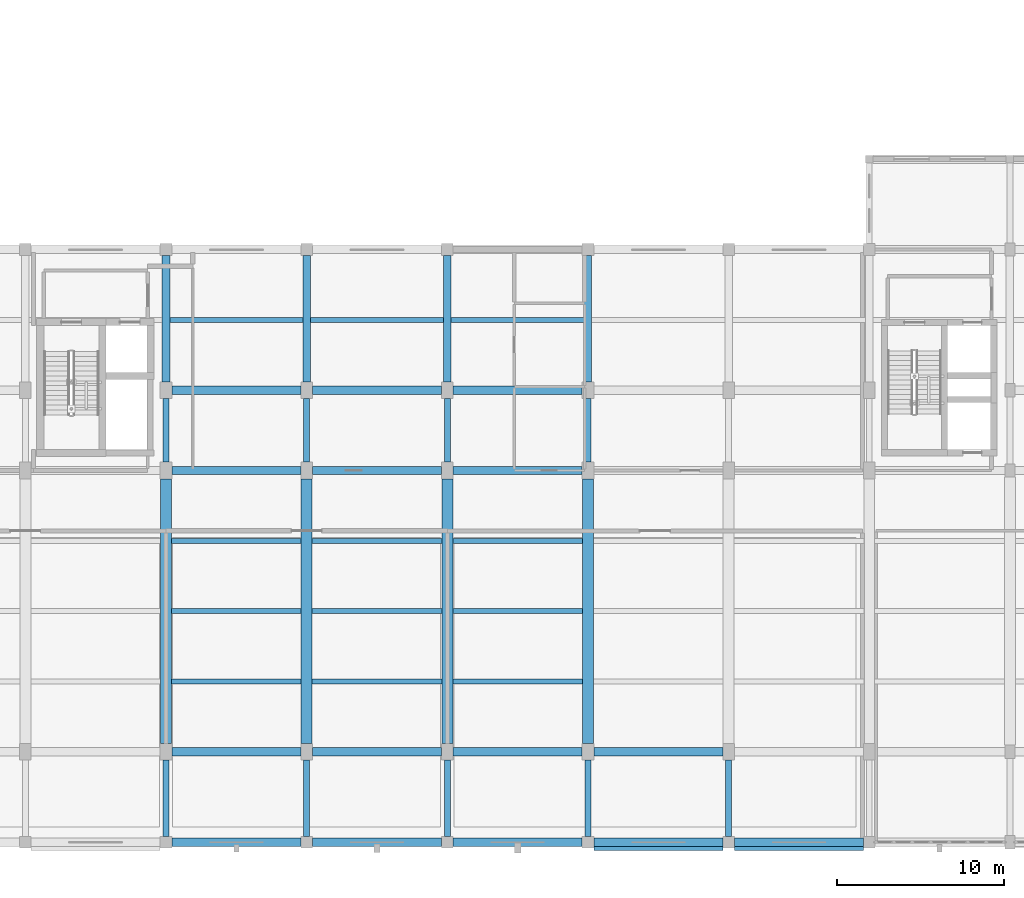
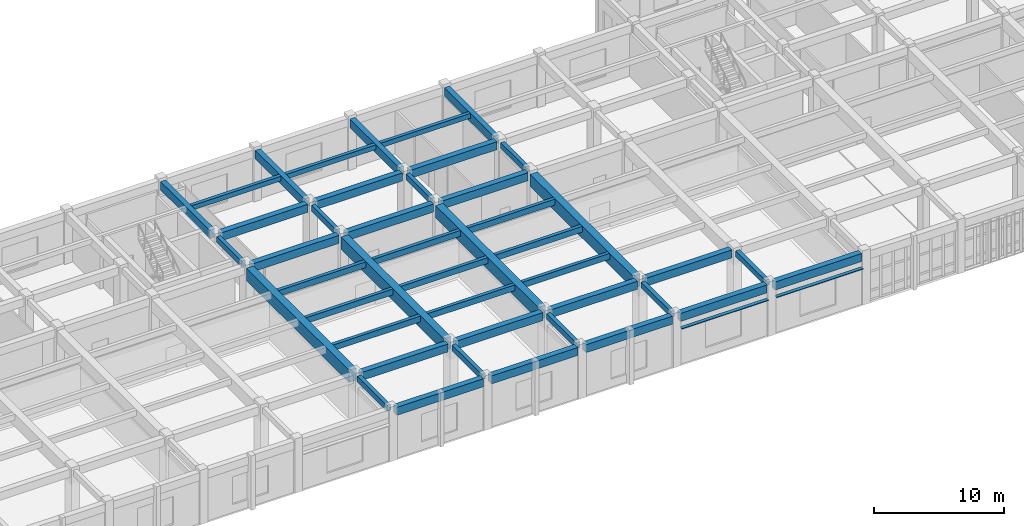
# One storey, part 24 of 106: 44 beams, 2 members.
"""IFC4 building model written with IfcOpenShell, lengths in metres."""

from ifc_helpers import new_model, si_unit, direction, frame, origin, origin_2d, place, context, subcontext, project, spatial, rectangle, hollow_rectangle, extrude, material, material_profile, profile_set, type_object, element, save


model = new_model("IFC4")

# Units and contexts
model_context = context("Model", 3, precision=1e-05, world=origin(), true_north=direction((0.0, 1.0)))
body_context = subcontext(model_context, "Body", "Model", "MODEL_VIEW")
ifc_project = project(units=[si_unit("LENGTHUNIT", "METRE"), si_unit("AREAUNIT", "SQUARE_METRE"), si_unit("VOLUMEUNIT", "CUBIC_METRE"), si_unit("PLANEANGLEUNIT", "RADIAN"), si_unit("MASSUNIT", "GRAM", prefix="KILO")], contexts=[model_context])

# Site, building, storey
site_placement = place(None, origin())
site = spatial("IfcSite", under=ifc_project, at=site_placement, CompositionType="ELEMENT")
building_placement = place(site_placement, origin())
building = spatial("IfcBuilding", under=site, at=building_placement, Name="Krzemoval Escarpment Law Courts", CompositionType="ELEMENT")
storey_placement = place(building_placement, frame((0.0, 0.0, 5.10009765625)))
storey = spatial("IfcBuildingStorey", under=building, at=storey_placement, Name="L01", CompositionType="ELEMENT", Elevation=5.10009765625)

# Beams
ifc_material_1 = material(Name="Concrete C50/60", Category="concrete")
ifc_material_profile_1 = material_profile(ifc_material_1, rectangle(XDim=0.64990234375, YDim=1.14990234375, at=origin_2d()), Name="PTG 650x1150")
ifc_profile_set_1 = profile_set([ifc_material_profile_1], Name="Concrete C50/60")
beam_type_1 = type_object("IfcBeamType", Name="BM-PTG-650x1150", PredefinedType="BEAM", material=ifc_profile_set_1)
for number, where, z_axis, x_axis, name in (
    (1, (67.199951171875, 5.89990234375, 4.244873046875), (0.0, 1.0, 0.0), (-1.0, 0.0, 0.0), "Beam FG-L01-1465"),
    (2, (75.60009765625, 5.89990234375, 4.244873046875), (0.0, 1.0, 0.0), (-1.0, 0.0, 0.0), "Beam FG-L01-1471"),
    (3, (84.0, 5.89990234375, 4.244873046875), (0.0, 1.0, 0.0), (-1.0, 0.0, 0.0), "Beam FG-L01-1477"),
    (4, (92.39990234375, 5.89990234375, 4.244873046875), (0.0, 1.0, 0.0), (-1.0, 0.0, 0.0), "Beam FG-L01-1483"),
):
    element("IfcBeam", number, at=place(storey_placement, frame(where, z_axis=z_axis, x_axis=x_axis)), inside=storey, type_object=beam_type_1, Name=name, PredefinedType="BEAM", context=body_context, shape_type="SweptSolid", body=[
        extrude(rectangle(XDim=0.64990234375, YDim=1.14990234375, at=origin_2d()), origin(), (0.0, 0.0, 1.0), 15.800048828125),
    ])
ifc_material_2 = material(Name="Concrete C40/50", Category="concrete")
ifc_material_profile_2 = material_profile(ifc_material_2, rectangle(XDim=0.35009765625, YDim=0.550048828125, at=origin_2d()), Name="RCB 350x550")
ifc_profile_set_2 = profile_set([ifc_material_profile_2], Name="Concrete C40/50")
beam_type_2 = type_object("IfcBeamType", Name="BM-RC-350x550", PredefinedType="BEAM", material=ifc_profile_set_2)
beam_1_placement = place(storey_placement, frame((67.199951171875, 0.35009765625, 4.544921875), z_axis=(0.0, 1.0, 0.0), x_axis=(-1.0, 0.0, 0.0)))
element("IfcBeam", 5, at=beam_1_placement, inside=storey, type_object=beam_type_2, Name="Beam FG-L01-1464", PredefinedType="BEAM", context=body_context, shape_type="SweptSolid", body=[
    extrude(rectangle(XDim=0.35009765625, YDim=0.550048828125, at=origin_2d()), origin(), (0.0, 0.0, 1.0), 4.5498046875),
])
beam_2_placement = place(storey_placement, frame((67.199951171875, 22.699951171875, 4.544921875), z_axis=(0.0, 1.0, 0.0), x_axis=(-1.0, 0.0, 0.0)))
element("IfcBeam", 6, at=beam_2_placement, inside=storey, type_object=beam_type_2, Name="Beam FG-L01-1466", PredefinedType="BEAM", context=body_context, shape_type="SweptSolid", body=[
    extrude(rectangle(XDim=0.35009765625, YDim=0.550048828125, at=origin_2d()), origin(), (0.0, 0.0, 1.0), 3.800048828125),
])
beam_3_placement = place(storey_placement, frame((75.60009765625, 0.35009765625, 4.544921875), z_axis=(0.0, 1.0, 0.0), x_axis=(-1.0, 0.0, 0.0)))
element("IfcBeam", 7, at=beam_3_placement, inside=storey, type_object=beam_type_2, Name="Beam FG-L01-1470", PredefinedType="BEAM", context=body_context, shape_type="SweptSolid", body=[
    extrude(rectangle(XDim=0.35009765625, YDim=0.550048828125, at=origin_2d()), origin(), (0.0, 0.0, 1.0), 4.5498046875),
])
beam_4_placement = place(storey_placement, frame((75.60009765625, 22.699951171875, 4.544921875), z_axis=(0.0, 1.0, 0.0), x_axis=(-1.0, 0.0, 0.0)))
element("IfcBeam", 8, at=beam_4_placement, inside=storey, type_object=beam_type_2, Name="Beam FG-L01-1472", PredefinedType="BEAM", context=body_context, shape_type="SweptSolid", body=[
    extrude(rectangle(XDim=0.35009765625, YDim=0.550048828125, at=origin_2d()), origin(), (0.0, 0.0, 1.0), 3.800048828125),
])
beam_5_placement = place(storey_placement, frame((84.0, 0.35009765625, 4.544921875), z_axis=(0.0, 1.0, 0.0), x_axis=(-1.0, 0.0, 0.0)))
element("IfcBeam", 9, at=beam_5_placement, inside=storey, type_object=beam_type_2, Name="Beam FG-L01-1476", PredefinedType="BEAM", context=body_context, shape_type="SweptSolid", body=[
    extrude(rectangle(XDim=0.35009765625, YDim=0.550048828125, at=origin_2d()), origin(), (0.0, 0.0, 1.0), 4.5498046875),
])
beam_6_placement = place(storey_placement, frame((84.0, 22.699951171875, 4.544921875), z_axis=(0.0, 1.0, 0.0), x_axis=(-1.0, 0.0, 0.0)))
element("IfcBeam", 10, at=beam_6_placement, inside=storey, type_object=beam_type_2, Name="Beam FG-L01-1478", PredefinedType="BEAM", context=body_context, shape_type="SweptSolid", body=[
    extrude(rectangle(XDim=0.35009765625, YDim=0.550048828125, at=origin_2d()), origin(), (0.0, 0.0, 1.0), 3.800048828125),
])
beam_7_placement = place(storey_placement, frame((92.39990234375, 0.35009765625, 4.544921875), z_axis=(0.0, 1.0, 0.0), x_axis=(-1.0, 0.0, 0.0)))
element("IfcBeam", 11, at=beam_7_placement, inside=storey, type_object=beam_type_2, Name="Beam FG-L01-1482", PredefinedType="BEAM", context=body_context, shape_type="SweptSolid", body=[
    extrude(rectangle(XDim=0.35009765625, YDim=0.550048828125, at=origin_2d()), origin(), (0.0, 0.0, 1.0), 4.5498046875),
])
beam_8_placement = place(storey_placement, frame((92.39990234375, 22.699951171875, 4.544921875), z_axis=(0.0, 1.0, 0.0), x_axis=(-1.0, 0.0, 0.0)))
element("IfcBeam", 12, at=beam_8_placement, inside=storey, type_object=beam_type_2, Name="Beam FG-L01-1484", PredefinedType="BEAM", context=body_context, shape_type="SweptSolid", body=[
    extrude(rectangle(XDim=0.35009765625, YDim=0.550048828125, at=origin_2d()), origin(), (0.0, 0.0, 1.0), 3.800048828125),
])
beam_9_placement = place(storey_placement, frame((100.800048828125, 0.35009765625, 4.544921875), z_axis=(0.0, 1.0, 0.0), x_axis=(-1.0, 0.0, 0.0)))
element("IfcBeam", 13, at=beam_9_placement, inside=storey, type_object=beam_type_2, Name="Beam FG-L01-1488", PredefinedType="BEAM", context=body_context, shape_type="SweptSolid", body=[
    extrude(rectangle(XDim=0.35009765625, YDim=0.550048828125, at=origin_2d()), origin(), (0.0, 0.0, 1.0), 4.5498046875),
])
ifc_material_3 = material(Name="Concrete C40/50", Category="concrete")
ifc_material_profile_3 = material_profile(ifc_material_3, rectangle(XDim=0.449951171875, YDim=0.800048828125, at=origin_2d()), Name="RCB 450x800")
ifc_profile_set_3 = profile_set([ifc_material_profile_3], Name="Concrete C40/50")
beam_type_3 = type_object("IfcBeamType", Name="BM-RC-450x800", PredefinedType="BEAM", material=ifc_profile_set_3)
for number, where, z_axis, x_axis, name in (
    (14, (67.199951171875, 27.5, 4.419921875), (0.0, 1.0, 0.0), (-1.0, 0.0, 0.0), "Beam FG-L01-1467"),
    (15, (75.60009765625, 27.5, 4.419921875), (0.0, 1.0, 0.0), (-1.0, 0.0, 0.0), "Beam FG-L01-1473"),
    (16, (84.0, 27.5, 4.419921875), (0.0, 1.0, 0.0), (-1.0, 0.0, 0.0), "Beam FG-L01-1479"),
    (17, (92.39990234375, 27.5, 4.419921875), (0.0, 1.0, 0.0), (-1.0, 0.0, 0.0), "Beam FG-L01-1485"),
):
    element("IfcBeam", number, at=place(storey_placement, frame(where, z_axis=z_axis, x_axis=x_axis)), inside=storey, type_object=beam_type_3, Name=name, PredefinedType="BEAM", context=body_context, shape_type="SweptSolid", body=[
        extrude(rectangle(XDim=0.449951171875, YDim=0.800048828125, at=origin_2d()), origin(), (0.0, 0.0, 1.0), 7.550048828125),
    ])
ifc_material_4 = material(Name="Concrete C40/50", Category="concrete")
ifc_material_profile_4 = material_profile(ifc_material_4, rectangle(XDim=0.5, YDim=0.75, at=origin_2d()), Name="RCB 500x750")
ifc_profile_set_4 = profile_set([ifc_material_profile_4], Name="Concrete C40/50")
beam_type_4 = type_object("IfcBeamType", Name="BM-RC-500x750", PredefinedType="BEAM", material=ifc_profile_set_4)
for number, where, z_axis, x_axis, name in (
    (18, (67.550048828125, 0.0, 4.44482421875), (1.0, 0.0, 0.0), (0.0, 1.0, 0.0), "Beam FG-L01-1153"),
    (19, (75.949951171875, 0.0, 4.44482421875), (1.0, 0.0, 0.0), (0.0, 1.0, 0.0), "Beam FG-L01-1154"),
    (20, (84.35009765625, 0.0, 4.44482421875), (1.0, 0.0, 0.0), (0.0, 1.0, 0.0), "Beam FG-L01-1155"),
    (21, (92.75, 0.0, 4.44482421875), (1.0, 0.0, 0.0), (0.0, 1.0, 0.0), "Beam FG-L01-1156"),
):
    element("IfcBeam", number, at=place(storey_placement, frame(where, z_axis=z_axis, x_axis=x_axis)), inside=storey, type_object=beam_type_4, Name=name, PredefinedType="BEAM", context=body_context, shape_type="SweptSolid", body=[
        extrude(rectangle(XDim=0.5, YDim=0.75, at=origin_2d()), origin(), (0.0, 0.0, 1.0), 7.699951171875),
    ])
beam_10_placement = place(storey_placement, frame((101.14990234375, 0.0, 4.44482421875), z_axis=(1.0, 0.0, 0.0), x_axis=(0.0, 1.0, 0.0)))
element("IfcBeam", 22, at=beam_10_placement, inside=storey, type_object=beam_type_4, Name="Beam FG-L01-1157", PredefinedType="BEAM", context=body_context, shape_type="SweptSolid", body=[
    extrude(rectangle(XDim=0.5, YDim=0.75, at=origin_2d()), origin(), (0.0, 0.0, 1.0), 7.7001953125),
])
for number, where, z_axis, x_axis, name in (
    (23, (67.550048828125, 5.39990234375, 4.44482421875), (1.0, 0.0, 0.0), (0.0, 1.0, 0.0), "Beam FG-L01-1171"),
    (24, (75.949951171875, 5.39990234375, 4.44482421875), (1.0, 0.0, 0.0), (0.0, 1.0, 0.0), "Beam FG-L01-1172"),
    (25, (84.35009765625, 5.39990234375, 4.44482421875), (1.0, 0.0, 0.0), (0.0, 1.0, 0.0), "Beam FG-L01-1173"),
    (26, (92.75, 5.39990234375, 4.44482421875), (1.0, 0.0, 0.0), (0.0, 1.0, 0.0), "Beam FG-L01-1174"),
    (27, (67.550048828125, 22.199951171875, 4.44482421875), (1.0, 0.0, 0.0), (0.0, 1.0, 0.0), "Beam FG-L01-1189"),
    (28, (75.949951171875, 22.199951171875, 4.44482421875), (1.0, 0.0, 0.0), (0.0, 1.0, 0.0), "Beam FG-L01-1190"),
    (29, (84.35009765625, 22.199951171875, 4.44482421875), (1.0, 0.0, 0.0), (0.0, 1.0, 0.0), "Beam FG-L01-1191"),
    (30, (67.550048828125, 27.0, 4.44482421875), (1.0, 0.0, 0.0), (0.0, 1.0, 0.0), "Beam FG-L01-1206"),
    (31, (75.949951171875, 27.0, 4.44482421875), (1.0, 0.0, 0.0), (0.0, 1.0, 0.0), "Beam FG-L01-1207"),
    (32, (84.35009765625, 27.0, 4.44482421875), (1.0, 0.0, 0.0), (0.0, 1.0, 0.0), "Beam FG-L01-1208"),
):
    element("IfcBeam", number, at=place(storey_placement, frame(where, z_axis=z_axis, x_axis=x_axis)), inside=storey, type_object=beam_type_4, Name=name, PredefinedType="BEAM", context=body_context, shape_type="SweptSolid", body=[
        extrude(rectangle(XDim=0.5, YDim=0.75, at=origin_2d()), origin(), (0.0, 0.0, 1.0), 7.699951171875),
    ])
ifc_material_5 = material(Name="Concrete C40/50", Category="concrete")
ifc_material_profile_5 = material_profile(ifc_material_5, rectangle(XDim=0.300048828125, YDim=0.449951171875, at=origin_2d()), Name="RCB 300x450")
ifc_profile_set_5 = profile_set([ifc_material_profile_5], Name="Concrete C40/50")
beam_type_5 = type_object("IfcBeamType", Name="JST-RC-300x450", PredefinedType="JOIST", material=ifc_profile_set_5)
for number, where, z_axis, x_axis, name in (
    (33, (67.425048828125, 31.199951171875, 4.594970703125), (1.0, 0.0, 0.0), (0.0, 1.0, 0.0), "Secondary Joist FJ-L01-1649"),
    (34, (75.824951171875, 31.199951171875, 4.594970703125), (1.0, 0.0, 0.0), (0.0, 1.0, 0.0), "Secondary Joist FJ-L01-1654"),
    (35, (84.22509765625, 31.199951171875, 4.594970703125), (1.0, 0.0, 0.0), (0.0, 1.0, 0.0), "Secondary Joist FJ-L01-1659"),
):
    element("IfcBeam", number, at=place(storey_placement, frame(where, z_axis=z_axis, x_axis=x_axis)), inside=storey, type_object=beam_type_5, Name=name, PredefinedType="JOIST", context=body_context, shape_type="SweptSolid", body=[
        extrude(rectangle(XDim=0.300048828125, YDim=0.449951171875, at=origin_2d()), origin(), (0.0, 0.0, 1.0), 7.949951171875),
    ])
ifc_material_6 = material(Name="Concrete C40/50", Category="concrete")
ifc_material_profile_6 = material_profile(ifc_material_6, rectangle(XDim=0.300048828125, YDim=0.550048828125, at=origin_2d()), Name="RCB 300x550")
ifc_profile_set_6 = profile_set([ifc_material_profile_6], Name="Concrete C40/50")
beam_type_6 = type_object("IfcBeamType", Name="JST-RC-300x550", PredefinedType="JOIST", material=ifc_profile_set_6)
for number, where, z_axis, x_axis, name in (
    (36, (67.52490234375, 9.60009765625, 4.544921875), (1.0, 0.0, 0.0), (0.0, 1.0, 0.0), "Secondary Joist FJ-L01-1646"),
    (37, (67.52490234375, 13.800048828125, 4.544921875), (1.0, 0.0, 0.0), (0.0, 1.0, 0.0), "Secondary Joist FJ-L01-1647"),
    (38, (67.52490234375, 18.0, 4.544921875), (1.0, 0.0, 0.0), (0.0, 1.0, 0.0), "Secondary Joist FJ-L01-1648"),
    (39, (75.925048828125, 9.60009765625, 4.544921875), (1.0, 0.0, 0.0), (0.0, 1.0, 0.0), "Secondary Joist FJ-L01-1651"),
    (40, (75.925048828125, 13.800048828125, 4.544921875), (1.0, 0.0, 0.0), (0.0, 1.0, 0.0), "Secondary Joist FJ-L01-1652"),
    (41, (75.925048828125, 18.0, 4.544921875), (1.0, 0.0, 0.0), (0.0, 1.0, 0.0), "Secondary Joist FJ-L01-1653"),
    (42, (84.324951171875, 9.60009765625, 4.544921875), (1.0, 0.0, 0.0), (0.0, 1.0, 0.0), "Secondary Joist FJ-L01-1656"),
    (43, (84.324951171875, 13.800048828125, 4.544921875), (1.0, 0.0, 0.0), (0.0, 1.0, 0.0), "Secondary Joist FJ-L01-1657"),
    (44, (84.324951171875, 18.0, 4.544921875), (1.0, 0.0, 0.0), (0.0, 1.0, 0.0), "Secondary Joist FJ-L01-1658"),
):
    element("IfcBeam", number, at=place(storey_placement, frame(where, z_axis=z_axis, x_axis=x_axis)), inside=storey, type_object=beam_type_6, Name=name, PredefinedType="JOIST", context=body_context, shape_type="SweptSolid", body=[
        extrude(rectangle(XDim=0.300048828125, YDim=0.550048828125, at=origin_2d()), origin(), (0.0, 0.0, 1.0), 7.75),
    ])

# Members
ifc_material_7 = material(Name="Anodised Aluminium Alloy 6063-T6", Category="aluminium")
ifc_material_profile_7 = material_profile(ifc_material_7, hollow_rectangle(XDim=0.06005859375, YDim=0.320068359375, WallThickness=0.00390625, at=origin_2d()), Name="ALU LVR 60x320")
ifc_profile_set_7 = profile_set([ifc_material_profile_7], Name="Anodised Aluminium Alloy 6063-T6")
member_type = type_object("IfcMemberType", Name="LVR-ALU-320", PredefinedType="USERDEFINED", material=ifc_profile_set_7)
member_1_placement = place(storey_placement, frame((108.85009765625, -0.330078125, 3.510009765625), z_axis=(-1.0, 0.0, 0.0), x_axis=(0.0, 0.0, 1.0)))
element("IfcMember", 45, at=member_1_placement, inside=storey, type_object=member_type, Name="Window Sunshade Louvre FLV-L01-0164", ObjectType="SUNSHADE_LOUVRE", PredefinedType="USERDEFINED", context=body_context, shape_type="SweptSolid", body=[
    extrude(hollow_rectangle(XDim=0.06005859375, YDim=0.320068359375, WallThickness=0.00390625, at=origin_2d()), origin(), (0.0, 0.0, 1.0), 7.7001953125),
])
member_2_placement = place(storey_placement, frame((100.449951171875, -0.330078125, 3.510009765625), z_axis=(-1.0, 0.0, 0.0), x_axis=(0.0, 0.0, 1.0)))
element("IfcMember", 46, at=member_2_placement, inside=storey, type_object=member_type, Name="Window Sunshade Louvre FLV-L01-0165", ObjectType="SUNSHADE_LOUVRE", PredefinedType="USERDEFINED", context=body_context, shape_type="SweptSolid", body=[
    extrude(hollow_rectangle(XDim=0.06005859375, YDim=0.320068359375, WallThickness=0.00390625, at=origin_2d()), origin(), (0.0, 0.0, 1.0), 7.699951171875),
])

save(model, "model.ifc")
